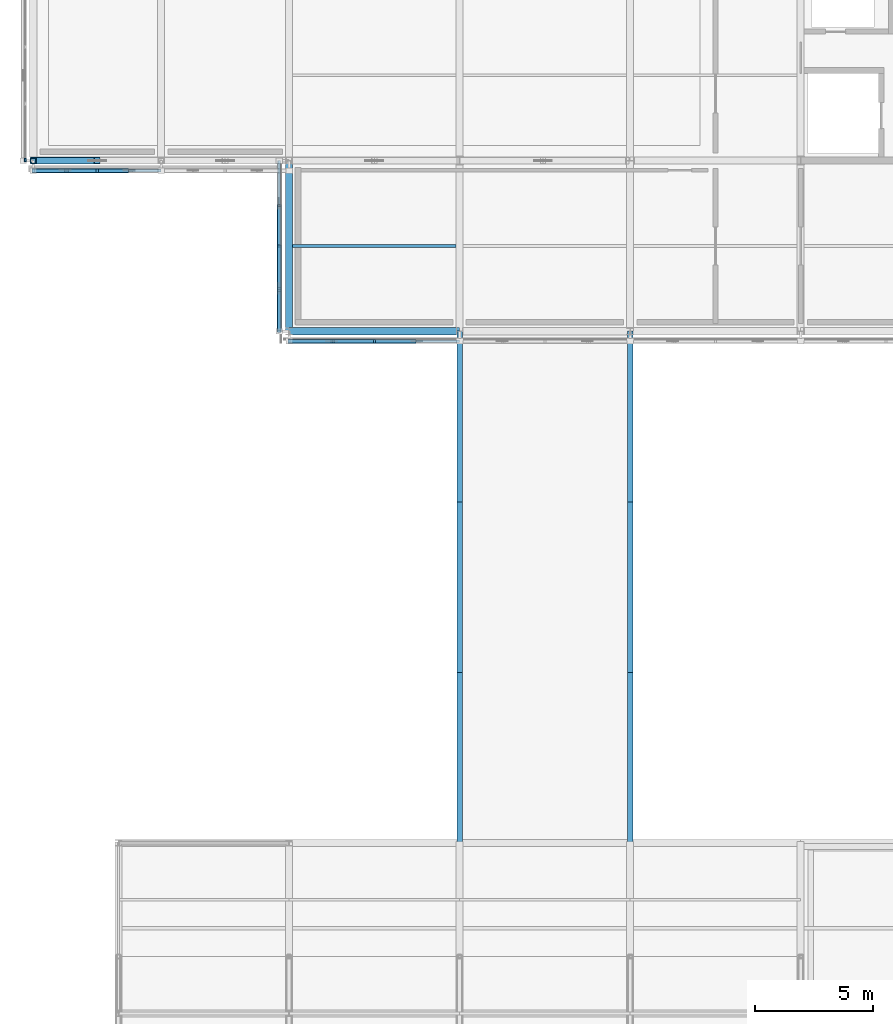
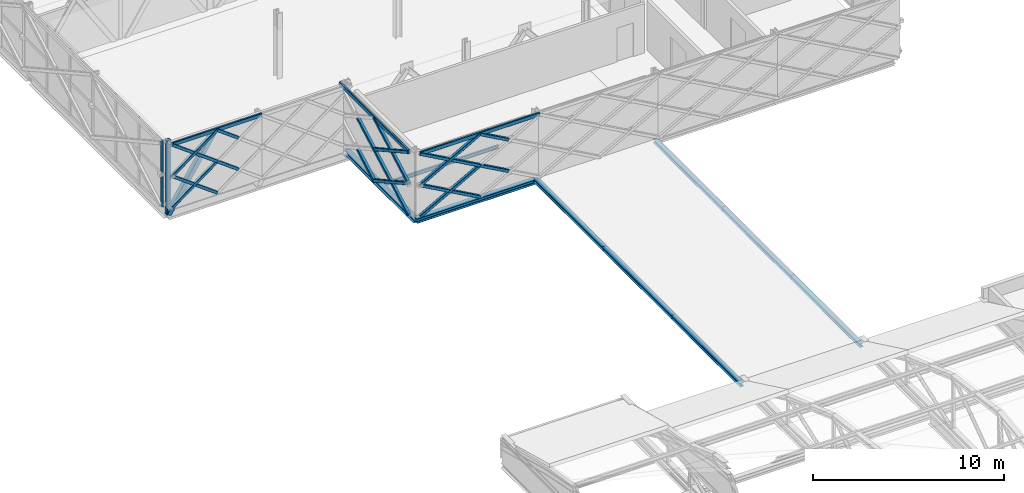
# One storey, part 32 of 103: 30 members, 9 beams, 1 element without a shape of its own.
"""IFC4 building model written with IfcOpenShell, lengths in metres."""

from ifc_helpers import new_model, si_unit, direction, frame, origin, origin_2d, place, context, subcontext, project, spatial, rectangle, hollow_rectangle, i_section, extrude, material, material_profile, profile_set, type_object, element, aggregate, save


model = new_model("IFC4")

# Units and contexts
model_context = context("Model", 3, precision=1e-05, world=origin(), true_north=direction((0.0, 1.0)))
body_context = subcontext(model_context, "Body", "Model", "MODEL_VIEW")
ifc_project = project(units=[si_unit("LENGTHUNIT", "METRE"), si_unit("AREAUNIT", "SQUARE_METRE"), si_unit("VOLUMEUNIT", "CUBIC_METRE"), si_unit("PLANEANGLEUNIT", "RADIAN"), si_unit("MASSUNIT", "GRAM", prefix="KILO")], contexts=[model_context])

# Site, building, storey
site_placement = place(None, origin())
site = spatial("IfcSite", under=ifc_project, at=site_placement, CompositionType="ELEMENT")
building_placement = place(site_placement, origin())
building = spatial("IfcBuilding", under=site, at=building_placement, Name="Zlatovets Crest Museum", CompositionType="ELEMENT")
storey_placement = place(building_placement, frame((0.0, 0.0, 12.89990234375)))
storey = spatial("IfcBuildingStorey", under=building, at=storey_placement, Name="L03", CompositionType="ELEMENT", Elevation=12.89990234375)

# Beams
ifc_material_1 = material(Name="Structural steel S355J2", Category="steel")
ifc_material_profile_1 = material_profile(ifc_material_1, i_section(OverallWidth=0.300048828125, OverallDepth=0.31005859375, WebThickness=0.009033203125, FlangeThickness=0.015380859375, FilletRadius=0.027099609375, at=origin_2d()), Name="HEA 320")
ifc_profile_set_1 = profile_set([ifc_material_profile_1], Name="Structural steel S355J2")
beam_type_1 = type_object("IfcBeamType", Name="Beam_B-04", PredefinedType="BEAM", material=ifc_profile_set_1)
beam_1_placement = place(storey_placement, frame((7.199951171875, 50.39990234375, -0.39501953125), z_axis=(0.0, 1.0, 0.0), x_axis=(-1.0, 0.0, 0.0)))
element("IfcBeam", 1, at=beam_1_placement, inside=storey, type_object=beam_type_1, Name="V4 L03 Grid Beam B-04", PredefinedType="BEAM", context=body_context, shape_type="SweptSolid", body=[
    extrude(i_section(OverallWidth=0.300048828125, OverallDepth=0.31005859375, WebThickness=0.009033203125, FlangeThickness=0.015380859375, FilletRadius=0.027099609375, at=origin_2d()), origin(), (0.0, 0.0, 1.0), 7.2001953125),
])
ifc_material_profile_2 = material_profile(ifc_material_1, i_section(OverallWidth=0.239990234375, OverallDepth=0.22998046875, WebThickness=0.007568359375, FlangeThickness=0.011962890625, FilletRadius=0.02099609375, at=origin_2d()), Name="HEA 240")
ifc_profile_set_2 = profile_set([ifc_material_profile_2], Name="Structural steel S355J2")
beam_type_2 = type_object("IfcBeamType", Name="Beam_B-06", PredefinedType="BEAM", material=ifc_profile_set_2)
for number, where, z_axis, x_axis, name in (
    (2, (14.39990234375, 28.800048828125, -0.3349609375), (0.0, 1.0, 0.0), (-1.0, 0.0, 0.0), "West Hillside Glazed Link Bridge Roof Edge Beam"),
    (3, (14.39990234375, 36.0, -0.3349609375), (0.0, 1.0, 0.0), (-1.0, 0.0, 0.0), "West Hillside Glazed Link Bridge Roof Edge Beam"),
    (4, (14.39990234375, 43.199951171875, -0.3349609375), (0.0, 1.0, 0.0), (-1.0, 0.0, 0.0), "West Hillside Glazed Link Bridge Roof Edge Beam"),
    (5, (21.60009765625, 28.800048828125, -0.3349609375), (0.0, 1.0, 0.0), (-1.0, 0.0, 0.0), "West Hillside Glazed Link Bridge Roof Edge Beam"),
    (6, (21.60009765625, 36.0, -0.3349609375), (0.0, 1.0, 0.0), (-1.0, 0.0, 0.0), "West Hillside Glazed Link Bridge Roof Edge Beam"),
    (7, (21.60009765625, 43.199951171875, -0.3349609375), (0.0, 1.0, 0.0), (-1.0, 0.0, 0.0), "West Hillside Glazed Link Bridge Roof Edge Beam"),
):
    element("IfcBeam", number, at=place(storey_placement, frame(where, z_axis=z_axis, x_axis=x_axis)), inside=storey, type_object=beam_type_2, Name=name, PredefinedType="BEAM", context=body_context, shape_type="SweptSolid", body=[
        extrude(i_section(OverallWidth=0.239990234375, OverallDepth=0.22998046875, WebThickness=0.007568359375, FlangeThickness=0.011962890625, FilletRadius=0.02099609375, at=origin_2d()), origin(), (0.0, 0.0, 1.0), 7.199951171875),
    ])
ifc_material_profile_3 = material_profile(ifc_material_1, i_section(OverallWidth=0.300048828125, OverallDepth=0.2900390625, WebThickness=0.008544921875, FlangeThickness=0.013916015625, FilletRadius=0.027099609375, at=origin_2d()), Name="HEA 300")
ifc_profile_set_3 = profile_set([ifc_material_profile_3], Name="Structural steel S355J2")
beam_type_3 = type_object("IfcBeamType", Name="Beam_B-12", PredefinedType="BEAM", material=ifc_profile_set_3)
beam_2_placement = place(storey_placement, frame((7.199951171875, 50.39990234375, -0.385009765625), z_axis=(1.0, 0.0, 0.0), x_axis=(0.0, 1.0, 0.0)))
element("IfcBeam", 8, at=beam_2_placement, inside=storey, type_object=beam_type_3, Name="V4 L03 Primary Girder B-12", PredefinedType="BEAM", context=body_context, shape_type="SweptSolid", body=[
    extrude(i_section(OverallWidth=0.300048828125, OverallDepth=0.2900390625, WebThickness=0.008544921875, FlangeThickness=0.013916015625, FilletRadius=0.027099609375, at=origin_2d()), origin(), (0.0, 0.0, 1.0), 7.199951171875),
])
ifc_material_profile_4 = material_profile(ifc_material_1, i_section(OverallWidth=0.110107421875, OverallDepth=0.219970703125, WebThickness=0.005859375, FlangeThickness=0.00927734375, FilletRadius=0.011962890625, at=origin_2d()), Name="IPE 220")
ifc_profile_set_4 = profile_set([ifc_material_profile_4], Name="Structural steel S355J2")
beam_type_4 = type_object("IfcBeamType", Name="Beam_J-10", PredefinedType="JOIST", material=ifc_profile_set_4)
beam_3_placement = place(storey_placement, frame((7.35009765625, 54.0, -0.349853515625), z_axis=(1.0, 0.0, 0.0), x_axis=(0.0, 1.0, 0.0)))
element("IfcBeam", 9, at=beam_3_placement, inside=storey, type_object=beam_type_4, Name="V4 L03 Composite Joist J-10", PredefinedType="JOIST", context=body_context, shape_type="SweptSolid", body=[
    extrude(i_section(OverallWidth=0.110107421875, OverallDepth=0.219970703125, WebThickness=0.005859375, FlangeThickness=0.00927734375, FilletRadius=0.011962890625, at=origin_2d()), origin(), (0.0, 0.0, 1.0), 6.89990234375),
])

# Curtain wall, member
ifc_material_2 = material(Name="Bronze-anodised aluminium and low-E triple glass", Category="aluminium")
curtain_wall_type = type_object("IfcCurtainWallType", Name="CW_CW-V4-L03-M2", PredefinedType="NOTDEFINED", material=ifc_material_2)
curtain_wall_placement = place(storey_placement, origin())
curtain_wall = element("IfcCurtainWall", 10, at=curtain_wall_placement, inside=storey, type_object=curtain_wall_type, Name="V4 L03 Secession Foyer Clear Curtain Wall", PredefinedType="NOTDEFINED")
ifc_material_3 = material(Name="Bronze-anodised aluminium EN AW-6060", Category="aluminium")
ifc_material_profile_5 = material_profile(ifc_material_3, rectangle(XDim=0.080078125, YDim=0.159912109375, at=origin_2d()), Name="ALU 80x160")
ifc_profile_set_5 = profile_set([ifc_material_profile_5], Name="Bronze-anodised aluminium EN AW-6060")
member_type_1 = type_object("IfcMemberType", Name="CWMull_M1", PredefinedType="MULLION", material=ifc_profile_set_5)
member_1_placement = place(storey_placement, frame((-3.93994140625, 57.6298828125, 0.0), z_axis=(0.0, 0.0, 1.0), x_axis=(1.0, 0.0, 0.0)))
member_1 = element("IfcMember", 11, at=member_1_placement, type_object=member_type_1, Name="CW-V4-L03-M2 mullion 4", PredefinedType="MULLION", context=body_context, shape_type="SweptSolid", body=[
    extrude(rectangle(XDim=0.080078125, YDim=0.159912109375, at=origin_2d()), origin(), (0.0, 0.0, 1.0), 4.2001953125),
])
aggregate(curtain_wall, [member_1])

# Members
ifc_material_4 = material(Name="Weathering bronze-steel S355J2W", Category="steel")
ifc_material_profile_6 = material_profile(ifc_material_4, hollow_rectangle(XDim=0.179931640625, YDim=0.179931640625, WallThickness=0.010009765625, InnerFilletRadius=0.010009765625, OuterFilletRadius=0.02001953125, at=origin_2d()), Name="SHS 180x180x10.0")
ifc_profile_set_6 = profile_set([ifc_material_profile_6], Name="Weathering bronze-steel S355J2W")
member_type_2 = type_object("IfcMemberType", Name="Lattice_XL-01", PredefinedType="BRACE", material=ifc_profile_set_6)
member_2_placement = place(storey_placement, frame((7.199951171875, 49.97998046875, 0.10009765625), z_axis=(0.874162868644, 0.0, 0.485632864501), x_axis=(0.0, 1.0, 0.0)))
element("IfcMember", 12, at=member_2_placement, inside=storey, type_object=member_type_2, Name="Continuous Bronze Lattice Diagonal", PredefinedType="BRACE", context=body_context, shape_type="SweptSolid", body=[
    extrude(hollow_rectangle(XDim=0.179931640625, YDim=0.179931640625, WallThickness=0.010009765625, InnerFilletRadius=0.010009765625, OuterFilletRadius=0.02001953125, at=origin_2d()), origin(), (0.0, 0.0, 1.0), 4.118408203125),
])
for number, where, z_axis, x_axis, name in (
    (13, (7.199951171875, 49.97998046875, 2.10009765625), (0.874169001841, 0.0, -0.485621824284), (0.0, 1.0, 0.0), "Split Crossing Bronze Lattice Diagonal Upper"),
    (14, (9.0830078125, 49.97998046875, 1.053955078125), (0.874169001841, 0.0, -0.485621824284), (0.0, 1.0, 0.0), "Split Crossing Bronze Lattice Diagonal Lower"),
    (15, (10.800048828125, 49.97998046875, 2.10009765625), (0.874169001841, 0.0, -0.485621824284), (0.0, 1.0, 0.0), "Split Crossing Bronze Lattice Diagonal Upper"),
):
    element("IfcMember", number, at=place(storey_placement, frame(where, z_axis=z_axis, x_axis=x_axis)), inside=storey, type_object=member_type_2, Name=name, PredefinedType="BRACE", context=body_context, shape_type="SweptSolid", body=[
        extrude(hollow_rectangle(XDim=0.179931640625, YDim=0.179931640625, WallThickness=0.010009765625, InnerFilletRadius=0.010009765625, OuterFilletRadius=0.02001953125, at=origin_2d()), origin(), (0.0, 0.0, 1.0), 1.964111328125),
    ])
member_3_placement = place(storey_placement, frame((7.199951171875, 49.97998046875, 2.10009765625), z_axis=(0.874162868644, 0.0, 0.485632864501), x_axis=(0.0, 1.0, 0.0)))
element("IfcMember", 16, at=member_3_placement, inside=storey, type_object=member_type_2, Name="Continuous Bronze Lattice Diagonal", PredefinedType="BRACE", context=body_context, shape_type="SweptSolid", body=[
    extrude(hollow_rectangle(XDim=0.179931640625, YDim=0.179931640625, WallThickness=0.010009765625, InnerFilletRadius=0.010009765625, OuterFilletRadius=0.02001953125, at=origin_2d()), origin(), (0.0, 0.0, 1.0), 4.118408203125),
])
for number, where, z_axis, x_axis, name in (
    (17, (7.199951171875, 49.97998046875, 4.10009765625), (0.874169001841, 0.0, -0.485621824284), (0.0, 1.0, 0.0), "Split Crossing Bronze Lattice Diagonal Upper"),
    (18, (9.0830078125, 49.97998046875, 3.053955078125), (0.874169001841, 0.0, -0.485621824284), (0.0, 1.0, 0.0), "Split Crossing Bronze Lattice Diagonal Lower"),
    (19, (10.800048828125, 49.97998046875, 4.10009765625), (0.874169001841, 0.0, -0.485621824284), (0.0, 1.0, 0.0), "Split Crossing Bronze Lattice Diagonal Upper"),
):
    element("IfcMember", number, at=place(storey_placement, frame(where, z_axis=z_axis, x_axis=x_axis)), inside=storey, type_object=member_type_2, Name=name, PredefinedType="BRACE", context=body_context, shape_type="SweptSolid", body=[
        extrude(hollow_rectangle(XDim=0.179931640625, YDim=0.179931640625, WallThickness=0.010009765625, InnerFilletRadius=0.010009765625, OuterFilletRadius=0.02001953125, at=origin_2d()), origin(), (0.0, 0.0, 1.0), 1.964111328125),
    ])
member_4_placement = place(storey_placement, frame((-3.60009765625, 57.179931640625, 0.10009765625), z_axis=(0.803577786301, 0.0, 0.59519974913), x_axis=(0.0, 1.0, 0.0)))
element("IfcMember", 20, at=member_4_placement, inside=storey, type_object=member_type_2, Name="Continuous Bronze Lattice Diagonal", PredefinedType="BRACE", context=body_context, shape_type="SweptSolid", body=[
    extrude(hollow_rectangle(XDim=0.179931640625, YDim=0.179931640625, WallThickness=0.010009765625, InnerFilletRadius=0.010009765625, OuterFilletRadius=0.02001953125, at=origin_2d()), origin(), (0.0, 0.0, 1.0), 3.360107421875),
])
for number, where, z_axis, x_axis, name in (
    (21, (-3.60009765625, 57.179931640625, 2.10009765625), (0.803516265271, 0.0, -0.595282799554), (0.0, 1.0, 0.0), "Split Crossing Bronze Lattice Diagonal Upper"),
    (22, (-2.173583984375, 57.179931640625, 1.043701171875), (0.803516265271, 0.0, -0.595282799554), (0.0, 1.0, 0.0), "Split Crossing Bronze Lattice Diagonal Lower"),
    (23, (-0.89990234375, 57.179931640625, 2.10009765625), (0.803516265271, 0.0, -0.595282799554), (0.0, 1.0, 0.0), "Split Crossing Bronze Lattice Diagonal Upper"),
):
    element("IfcMember", number, at=place(storey_placement, frame(where, z_axis=z_axis, x_axis=x_axis)), inside=storey, type_object=member_type_2, Name=name, PredefinedType="BRACE", context=body_context, shape_type="SweptSolid", body=[
        extrude(hollow_rectangle(XDim=0.179931640625, YDim=0.179931640625, WallThickness=0.010009765625, InnerFilletRadius=0.010009765625, OuterFilletRadius=0.02001953125, at=origin_2d()), origin(), (0.0, 0.0, 1.0), 1.585205078125),
    ])
member_5_placement = place(storey_placement, frame((-3.60009765625, 57.179931640625, 2.10009765625), z_axis=(0.803577786301, 0.0, 0.59519974913), x_axis=(0.0, 1.0, 0.0)))
element("IfcMember", 24, at=member_5_placement, inside=storey, type_object=member_type_2, Name="Continuous Bronze Lattice Diagonal", PredefinedType="BRACE", context=body_context, shape_type="SweptSolid", body=[
    extrude(hollow_rectangle(XDim=0.179931640625, YDim=0.179931640625, WallThickness=0.010009765625, InnerFilletRadius=0.010009765625, OuterFilletRadius=0.02001953125, at=origin_2d()), origin(), (0.0, 0.0, 1.0), 3.360107421875),
])
for number, where, z_axis, x_axis, name in (
    (25, (-3.60009765625, 57.179931640625, 4.10009765625), (0.803516265271, 0.0, -0.595282799554), (0.0, 1.0, 0.0), "Split Crossing Bronze Lattice Diagonal Upper"),
    (26, (-2.173583984375, 57.179931640625, 3.043701171875), (0.803516265271, 0.0, -0.595282799554), (0.0, 1.0, 0.0), "Split Crossing Bronze Lattice Diagonal Lower"),
    (27, (-0.89990234375, 57.179931640625, 4.10009765625), (0.803516265271, 0.0, -0.595282799554), (0.0, 1.0, 0.0), "Split Crossing Bronze Lattice Diagonal Upper"),
):
    element("IfcMember", number, at=place(storey_placement, frame(where, z_axis=z_axis, x_axis=x_axis)), inside=storey, type_object=member_type_2, Name=name, PredefinedType="BRACE", context=body_context, shape_type="SweptSolid", body=[
        extrude(hollow_rectangle(XDim=0.179931640625, YDim=0.179931640625, WallThickness=0.010009765625, InnerFilletRadius=0.010009765625, OuterFilletRadius=0.02001953125, at=origin_2d()), origin(), (0.0, 0.0, 1.0), 1.585205078125),
    ])
member_6_placement = place(storey_placement, frame((6.780029296875, 55.717041015625, 1.053955078125), z_axis=(0.0, -0.874169001841, -0.485621824284), x_axis=(1.0, 0.0, 0.0)))
element("IfcMember", 28, at=member_6_placement, inside=storey, type_object=member_type_2, Name="Split Crossing Bronze Lattice Diagonal Lower", PredefinedType="BRACE", context=body_context, shape_type="SweptSolid", body=[
    extrude(hollow_rectangle(XDim=0.179931640625, YDim=0.179931640625, WallThickness=0.010009765625, InnerFilletRadius=0.010009765625, OuterFilletRadius=0.02001953125, at=origin_2d()), origin(), (0.0, 0.0, 1.0), 1.964111328125),
])
member_7_placement = place(storey_placement, frame((6.780029296875, 54.0, 0.10009765625), z_axis=(0.0, -0.874162868644, 0.485632864501), x_axis=(1.0, 0.0, 0.0)))
element("IfcMember", 29, at=member_7_placement, inside=storey, type_object=member_type_2, Name="Continuous Bronze Lattice Diagonal", PredefinedType="BRACE", context=body_context, shape_type="SweptSolid", body=[
    extrude(hollow_rectangle(XDim=0.179931640625, YDim=0.179931640625, WallThickness=0.010009765625, InnerFilletRadius=0.010009765625, OuterFilletRadius=0.02001953125, at=origin_2d()), origin(), (0.0, 0.0, 1.0), 4.118408203125),
])
for number, where, z_axis, x_axis, name in (
    (30, (6.780029296875, 54.0, 2.10009765625), (0.0, -0.874169001841, -0.485621824284), (1.0, 0.0, 0.0), "Split Crossing Bronze Lattice Diagonal Upper"),
    (31, (6.780029296875, 52.116943359375, 1.053955078125), (0.0, -0.874169001841, -0.485621824284), (1.0, 0.0, 0.0), "Split Crossing Bronze Lattice Diagonal Lower"),
    (32, (6.780029296875, 55.717041015625, 3.053955078125), (0.0, -0.874169001841, -0.485621824284), (1.0, 0.0, 0.0), "Split Crossing Bronze Lattice Diagonal Lower"),
):
    element("IfcMember", number, at=place(storey_placement, frame(where, z_axis=z_axis, x_axis=x_axis)), inside=storey, type_object=member_type_2, Name=name, PredefinedType="BRACE", context=body_context, shape_type="SweptSolid", body=[
        extrude(hollow_rectangle(XDim=0.179931640625, YDim=0.179931640625, WallThickness=0.010009765625, InnerFilletRadius=0.010009765625, OuterFilletRadius=0.02001953125, at=origin_2d()), origin(), (0.0, 0.0, 1.0), 1.964111328125),
    ])
member_8_placement = place(storey_placement, frame((6.780029296875, 54.0, 2.10009765625), z_axis=(0.0, -0.874162868644, 0.485632864501), x_axis=(1.0, 0.0, 0.0)))
element("IfcMember", 33, at=member_8_placement, inside=storey, type_object=member_type_2, Name="Continuous Bronze Lattice Diagonal", PredefinedType="BRACE", context=body_context, shape_type="SweptSolid", body=[
    extrude(hollow_rectangle(XDim=0.179931640625, YDim=0.179931640625, WallThickness=0.010009765625, InnerFilletRadius=0.010009765625, OuterFilletRadius=0.02001953125, at=origin_2d()), origin(), (0.0, 0.0, 1.0), 4.118408203125),
])
for number, where, z_axis, x_axis, name in (
    (34, (6.780029296875, 54.0, 4.10009765625), (0.0, -0.874169001841, -0.485621824284), (1.0, 0.0, 0.0), "Split Crossing Bronze Lattice Diagonal Upper"),
    (35, (6.780029296875, 52.116943359375, 3.053955078125), (0.0, -0.874169001841, -0.485621824284), (1.0, 0.0, 0.0), "Split Crossing Bronze Lattice Diagonal Lower"),
):
    element("IfcMember", number, at=place(storey_placement, frame(where, z_axis=z_axis, x_axis=x_axis)), inside=storey, type_object=member_type_2, Name=name, PredefinedType="BRACE", context=body_context, shape_type="SweptSolid", body=[
        extrude(hollow_rectangle(XDim=0.179931640625, YDim=0.179931640625, WallThickness=0.010009765625, InnerFilletRadius=0.010009765625, OuterFilletRadius=0.02001953125, at=origin_2d()), origin(), (0.0, 0.0, 1.0), 1.964111328125),
    ])
ifc_material_profile_7 = material_profile(ifc_material_4, hollow_rectangle(XDim=0.1201171875, YDim=0.239990234375, WallThickness=0.010009765625, InnerFilletRadius=0.010009765625, OuterFilletRadius=0.02001953125, at=origin_2d()), Name="RHS 120x240x10.0")
ifc_profile_set_7 = profile_set([ifc_material_profile_7], Name="Weathering bronze-steel S355J2W")
member_type_3 = type_object("IfcMemberType", Name="Lattice_XL-04", PredefinedType="CHORD", material=ifc_profile_set_7)
member_9_placement = place(storey_placement, frame((7.199951171875, 49.97998046875, 4.10009765625), z_axis=(1.0, 0.0, 0.0), x_axis=(0.0, 1.0, 0.0)))
element("IfcMember", 36, at=member_9_placement, inside=storey, type_object=member_type_3, Name="Art Nouveau Woven Cage Collector Ring Chord", PredefinedType="CHORD", context=body_context, shape_type="SweptSolid", body=[
    extrude(hollow_rectangle(XDim=0.1201171875, YDim=0.239990234375, WallThickness=0.010009765625, InnerFilletRadius=0.010009765625, OuterFilletRadius=0.02001953125, at=origin_2d()), origin(), (0.0, 0.0, 1.0), 7.199951171875),
])
member_10_placement = place(storey_placement, frame((-3.60009765625, 57.179931640625, 4.10009765625), z_axis=(1.0, 0.0, 0.0), x_axis=(0.0, 1.0, 0.0)))
element("IfcMember", 37, at=member_10_placement, inside=storey, type_object=member_type_3, Name="Art Nouveau Woven Cage Collector Ring Chord", PredefinedType="CHORD", context=body_context, shape_type="SweptSolid", body=[
    extrude(hollow_rectangle(XDim=0.1201171875, YDim=0.239990234375, WallThickness=0.010009765625, InnerFilletRadius=0.010009765625, OuterFilletRadius=0.02001953125, at=origin_2d()), origin(), (0.0, 0.0, 1.0), 5.400146484375),
])
member_11_placement = place(storey_placement, frame((6.780029296875, 57.60009765625, 4.10009765625), z_axis=(0.0, -1.0, 0.0), x_axis=(1.0, 0.0, 0.0)))
element("IfcMember", 38, at=member_11_placement, inside=storey, type_object=member_type_3, Name="Art Nouveau Woven Cage Collector Ring Chord", PredefinedType="CHORD", context=body_context, shape_type="SweptSolid", body=[
    extrude(hollow_rectangle(XDim=0.1201171875, YDim=0.239990234375, WallThickness=0.010009765625, InnerFilletRadius=0.010009765625, OuterFilletRadius=0.02001953125, at=origin_2d()), origin(), (0.0, 0.0, 1.0), 7.2001953125),
])
ifc_material_profile_8 = material_profile(ifc_material_1, hollow_rectangle(XDim=0.25, YDim=0.25, WallThickness=0.012451171875, InnerFilletRadius=0.012451171875, OuterFilletRadius=0.02490234375, at=origin_2d()), Name="SHS 250x250x12.5")
ifc_profile_set_8 = profile_set([ifc_material_profile_8], Name="Structural steel S355J2")
member_type_4 = type_object("IfcMemberType", Name="Member_TM-07", PredefinedType="CHORD", material=ifc_profile_set_8)
member_12_placement = place(storey_placement, frame((-3.60009765625, 57.60009765625, -0.58984375), z_axis=(0.0, 0.0, 1.0), x_axis=(1.0, 0.0, 0.0)))
element("IfcMember", 39, at=member_12_placement, inside=storey, type_object=member_type_4, Name="Transfer Truss TT-1 Upper Vertical Post", PredefinedType="CHORD", context=body_context, shape_type="SweptSolid", body=[
    extrude(hollow_rectangle(XDim=0.25, YDim=0.25, WallThickness=0.012451171875, InnerFilletRadius=0.012451171875, OuterFilletRadius=0.02490234375, at=origin_2d()), origin(), (0.0, 0.0, 1.0), 4.739990234375),
])
ifc_material_profile_9 = material_profile(ifc_material_1, hollow_rectangle(XDim=0.300048828125, YDim=0.300048828125, WallThickness=0.01611328125, InnerFilletRadius=0.01611328125, OuterFilletRadius=0.031982421875, at=origin_2d()), Name="SHS 300x300x16.0")
ifc_profile_set_9 = profile_set([ifc_material_profile_9], Name="Structural steel S355J2")
member_type_5 = type_object("IfcMemberType", Name="Member_TM-08", PredefinedType="BRACE", material=ifc_profile_set_9)
member_13_placement = place(storey_placement, frame((-3.60009765625, 57.60009765625, -0.58984375), z_axis=(0.538970722985, 0.0, 0.842324497902), x_axis=(0.0, 1.0, 0.0)))
element("IfcMember", 40, at=member_13_placement, inside=storey, type_object=member_type_5, Name="Transfer Truss TT-1 Web Diagonal", PredefinedType="BRACE", context=body_context, shape_type="SweptSolid", body=[
    extrude(hollow_rectangle(XDim=0.300048828125, YDim=0.300048828125, WallThickness=0.01611328125, InnerFilletRadius=0.01611328125, OuterFilletRadius=0.031982421875, at=origin_2d()), origin(), (0.0, 0.0, 1.0), 5.010009765625),
])

save(model, "model.ifc")
